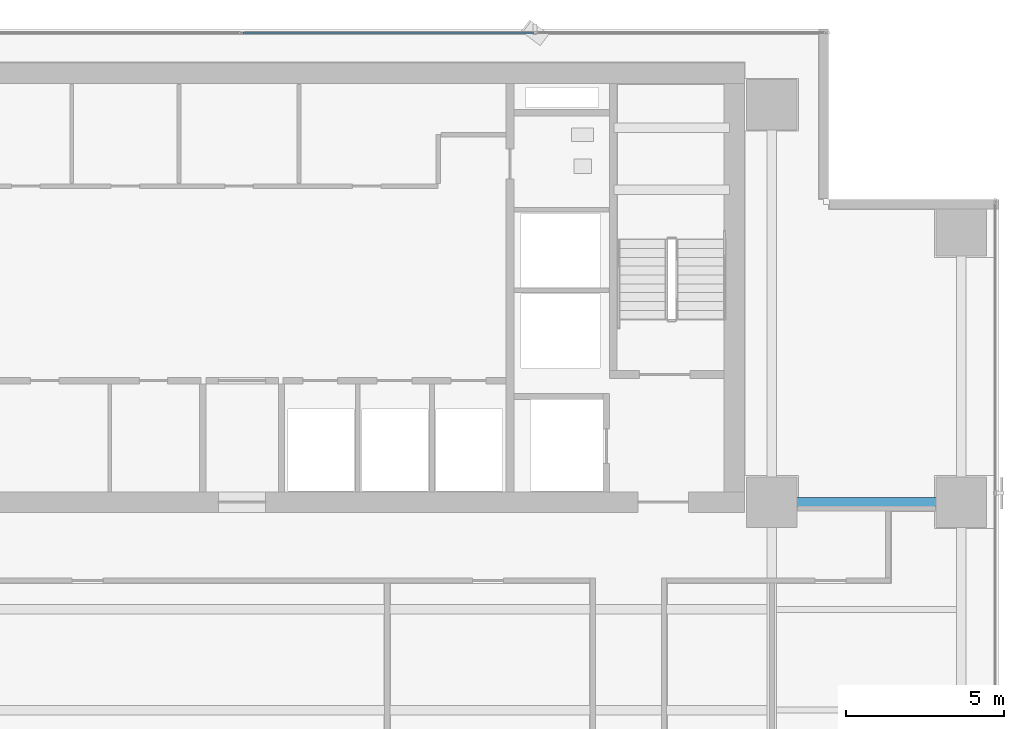
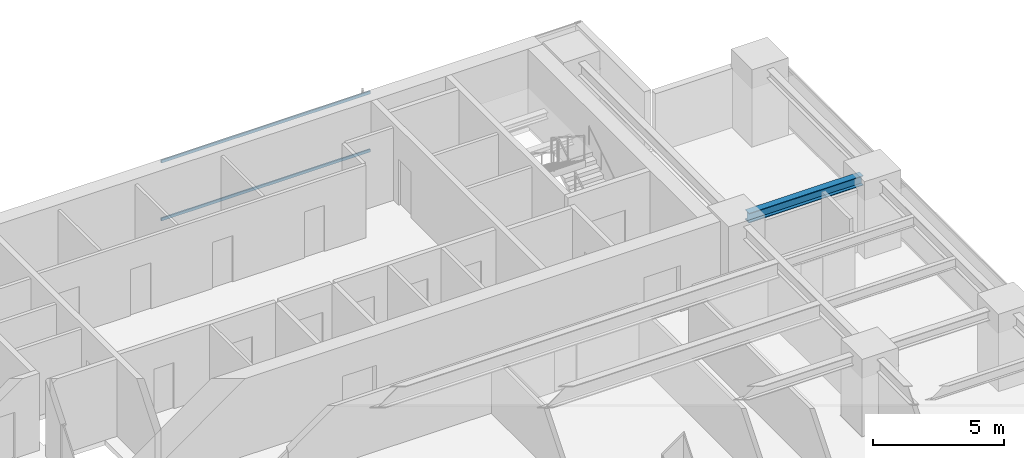
# One storey, part 17 of 27: 2 members, 1 beam, 1 element without a shape of its own.
"""IFC4 building model written with IfcOpenShell, lengths in metres."""

from ifc_helpers import new_model, si_unit, direction, frame, origin, origin_2d, place, context, subcontext, project, spatial, hollow_rectangle, i_section, extrude, source, transform, mapped, material, layer, layer_set, material_profile, profile_set, type_object, element, aggregate, save


model = new_model("IFC4")

# Units and contexts
model_context = context("Model", 3, precision=1e-05, world=origin(), true_north=direction((0.0, 1.0)))
body_context = subcontext(model_context, "Body", "Model", "MODEL_VIEW")
ifc_project = project(units=[si_unit("LENGTHUNIT", "METRE"), si_unit("AREAUNIT", "SQUARE_METRE"), si_unit("VOLUMEUNIT", "CUBIC_METRE"), si_unit("PLANEANGLEUNIT", "RADIAN"), si_unit("MASSUNIT", "GRAM", prefix="KILO")], contexts=[model_context])

# Site, building, storey
site_placement = place(None, origin())
site = spatial("IfcSite", under=ifc_project, at=site_placement, CompositionType="ELEMENT")
building_placement = place(site_placement, origin())
building = spatial("IfcBuilding", under=site, at=building_placement, Name="Sumidabori Civic Tower", CompositionType="ELEMENT")
storey_placement = place(building_placement, frame((0.0, 0.0, 160.39990234375)))
storey = spatial("IfcBuildingStorey", under=building, at=storey_placement, Name="L41", CompositionType="ELEMENT", Elevation=160.39990234375)

# Beam
ifc_material_1 = material(Name="Steel SN490", Category="steel")
ifc_material_profile_1 = material_profile(ifc_material_1, i_section(OverallWidth=0.300048828125, OverallDepth=0.449951171875, WebThickness=0.013916015625, FlangeThickness=0.02587890625, at=origin_2d()), Name="HE 450 B")
ifc_profile_set_1 = profile_set([ifc_material_profile_1], Name="Steel SN490")
beam_type = type_object("IfcBeamType", Name="BM-GIRD-450", PredefinedType="BEAM", material=ifc_profile_set_1)
shared_shape_1 = source(origin(), body_context, "Body", "SweptSolid", [
    extrude(i_section(OverallWidth=0.300048828125, OverallDepth=0.449951171875, WebThickness=0.013916015625, FlangeThickness=0.02587890625, at=origin_2d()), origin(), (0.0, 0.0, 1.0), 5.0400390625),
])
beam_placement = place(storey_placement, frame((17.280029296875, 10.199951171875, 3.155029296875), z_axis=(1.0, 0.0, 0.0), x_axis=(0.0, 1.0, 0.0)))
element("IfcBeam", 1, at=beam_placement, inside=storey, type_object=beam_type, Name="Primary Girder L41 GX-18", PredefinedType="BEAM", context=body_context, shape_type="MappedRepresentation", body=[
    mapped(shared_shape_1, transform((0.0, 0.0, 0.0), x_axis=(1.0, 0.0, 0.0), y_axis=(0.0, 1.0, 0.0), z_axis=(0.0, 0.0, 1.0), scale=1.0)),
])

# Curtain wall, members
ifc_material_2 = material(Name="Anodised Bronze Aluminium AW-6063-T6", Category="aluminium")
ifc_layer = layer(ifc_material_2, 0.179931640625, Name="Anodised Bronze Aluminium AW-6063-T6")
ifc_layer_set = layer_set([ifc_layer], Name="Anodised Bronze Aluminium AW-6063-T6")
curtain_wall_type = type_object("IfcCurtainWallType", Name="CW-SYS-3", PredefinedType="NOTDEFINED", material=ifc_layer_set)
curtain_wall_placement = place(storey_placement, origin())
curtain_wall = element("IfcCurtainWall", 2, at=curtain_wall_placement, inside=storey, type_object=curtain_wall_type, Name="Curtain Wall CW:L41:R07", PredefinedType="NOTDEFINED")
ifc_material_profile_2 = material_profile(ifc_material_2, hollow_rectangle(XDim=0.06005859375, YDim=0.1298828125, WallThickness=0.0048828125, at=origin_2d()), Name="ALU TRANSOM 130x60")
ifc_profile_set_2 = profile_set([ifc_material_profile_2], Name="Anodised Bronze Aluminium AW-6063-T6")
member_type = type_object("IfcMemberType", Name="CW-TRN-130", PredefinedType="USERDEFINED", material=ifc_profile_set_2)
shared_shape_2 = source(origin(), body_context, "Body", "SweptSolid", [
    extrude(hollow_rectangle(XDim=0.06005859375, YDim=0.1298828125, WallThickness=0.0048828125, at=origin_2d()), origin(), (0.0, 0.0, 1.0), 9.219970703125),
])
member_1_placement = place(storey_placement, frame((9.25244140625, 25.080078125, 0.030029296875), z_axis=(-1.0, 0.0, 0.0), x_axis=(0.0, -1.0, 0.0)))
member_1 = element("IfcMember", 3, at=member_1_placement, type_object=member_type, Name="CW-3 transom 2.1", ObjectType="TRANSOM", PredefinedType="USERDEFINED", context=body_context, shape_type="MappedRepresentation", body=[
    mapped(shared_shape_2, transform((0.0, 0.0, 0.0), x_axis=(1.0, 0.0, 0.0), y_axis=(0.0, 1.0, 0.0), z_axis=(0.0, 0.0, 1.0), scale=1.0)),
])
member_2_placement = place(storey_placement, frame((9.25244140625, 25.080078125, 2.72998046875), z_axis=(-1.0, 0.0, 0.0), x_axis=(0.0, -1.0, 0.0)))
member_2 = element("IfcMember", 4, at=member_2_placement, type_object=member_type, Name="CW-3 transom 2.2", ObjectType="TRANSOM", PredefinedType="USERDEFINED", context=body_context, shape_type="MappedRepresentation", body=[
    mapped(shared_shape_2, transform((0.0, 0.0, 0.0), x_axis=(1.0, 0.0, 0.0), y_axis=(0.0, 1.0, 0.0), z_axis=(0.0, 0.0, 1.0), scale=1.0)),
])
aggregate(curtain_wall, [member_1, member_2])

save(model, "model.ifc")
